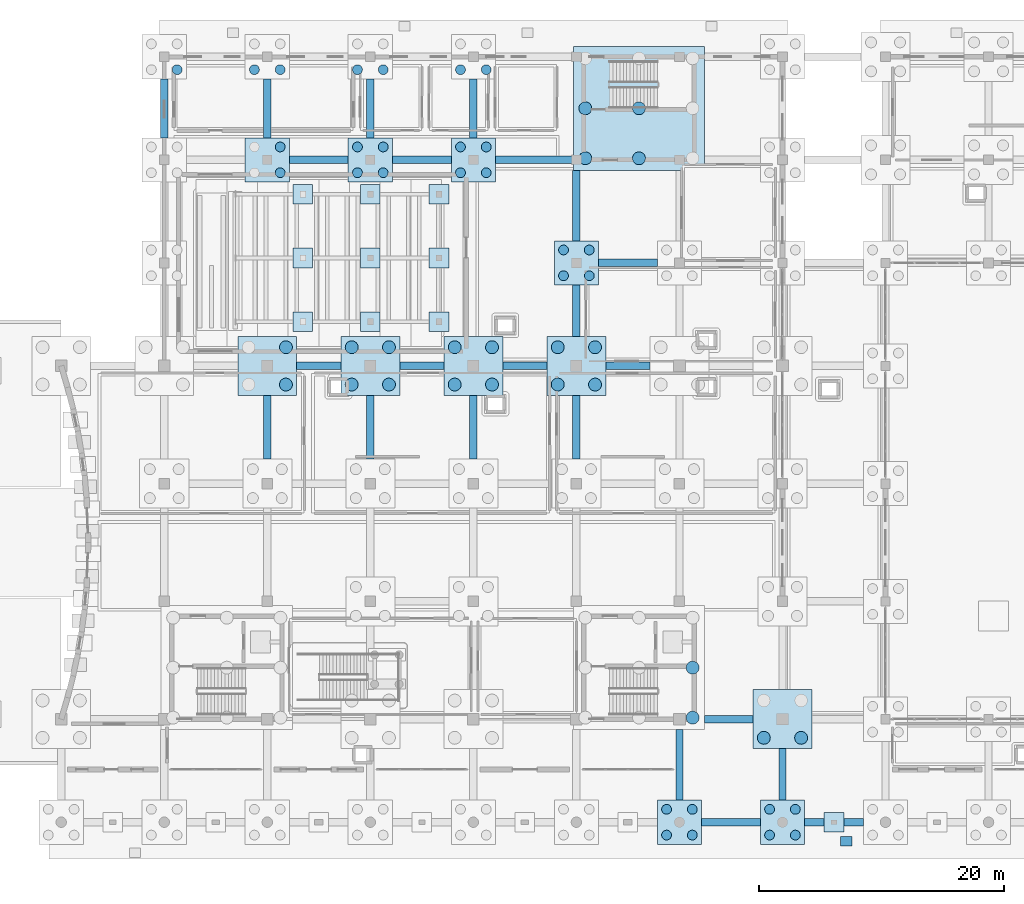
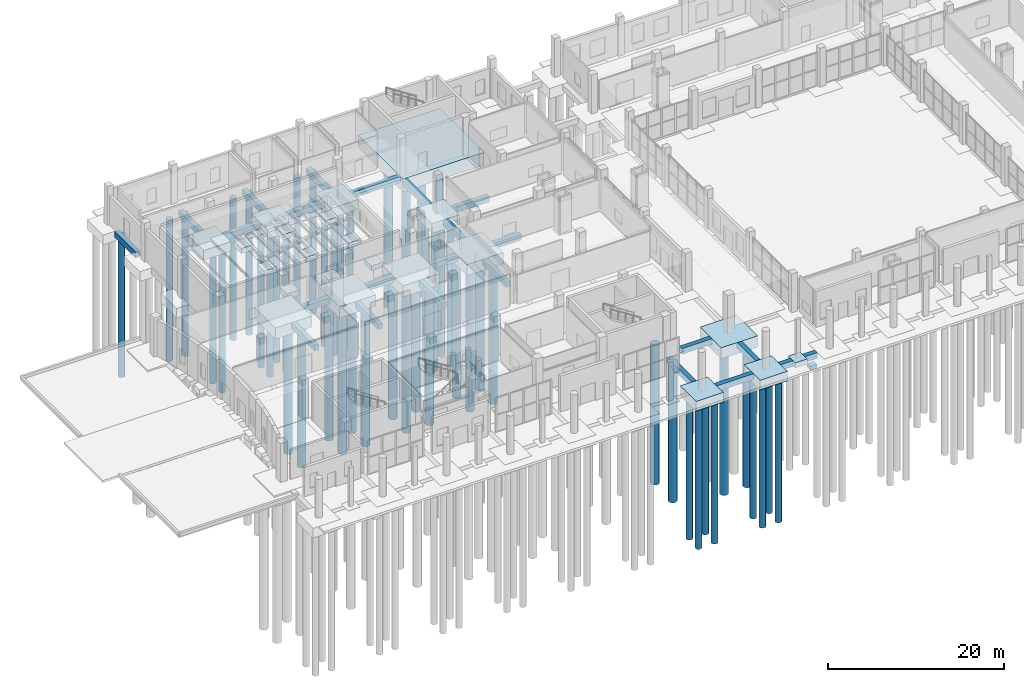
# One storey, part 3 of 65: 51 piles, 46 footings.
"""IFC4 building model written with IfcOpenShell, lengths in metres."""

from ifc_helpers import new_model, si_unit, direction, frame, origin, origin_2d, place, context, subcontext, project, spatial, polyline, circle, outline, extrude, material, layer, layer_set, material_profile, profile_set, type_object, element, save


model = new_model("IFC4")

# Units and contexts
model_context = context("Model", 3, precision=1e-05, world=origin(), true_north=direction((0.0, 1.0)))
body_context = subcontext(model_context, "Body", "Model", "MODEL_VIEW")
ifc_project = project(units=[si_unit("LENGTHUNIT", "METRE"), si_unit("AREAUNIT", "SQUARE_METRE"), si_unit("VOLUMEUNIT", "CUBIC_METRE"), si_unit("PLANEANGLEUNIT", "RADIAN"), si_unit("MASSUNIT", "GRAM", prefix="KILO")], contexts=[model_context])

# Site, building, storey
site_placement = place(None, origin())
site = spatial("IfcSite", under=ifc_project, at=site_placement, CompositionType="ELEMENT")
building_placement = place(site_placement, origin())
building = spatial("IfcBuilding", under=site, at=building_placement, Name="Zulmaris Art Gallery", CompositionType="ELEMENT")
storey_placement = place(building_placement, origin())
storey = spatial("IfcBuildingStorey", under=building, at=storey_placement, Name="L00", CompositionType="ELEMENT", Elevation=0.0)

# Footings
ifc_material = material(Name="Concrete C40/50", Category="concrete")
ifc_layer_1 = layer(ifc_material, 0.800048828125)
ifc_layer_set_1 = layer_set([ifc_layer_1], Name="Concrete C40/50")
footing_type_1 = type_object("IfcFootingType", Name="FTG-GB01", PredefinedType="FOOTING_BEAM", material=ifc_layer_set_1)
footing_1_placement = place(storey_placement, frame((0.0, 0.0, -0.800048828125)))
element("IfcFooting", 1, at=footing_1_placement, inside=storey, type_object=footing_type_1, Name="L00 ground tie beam X", PredefinedType="FOOTING_BEAM", context=body_context, shape_type="SweptSolid", body=[
    extrude(outline(polyline([(76.199951171875, 12.89990234375), (81.0, 12.89990234375), (81.0, 13.5), (76.199951171875, 13.5), (76.199951171875, 12.89990234375)])), origin(), (0.0, 0.0, 1.0), 0.800048828125),
])
footing_2_placement = place(storey_placement, frame((0.0, 0.0, -0.800048828125)))
element("IfcFooting", 2, at=footing_2_placement, inside=storey, type_object=footing_type_1, Name="L00 ground tie beam X", PredefinedType="FOOTING_BEAM", context=body_context, shape_type="SweptSolid", body=[
    extrude(outline(polyline([(84.60009765625, 12.89990234375), (89.39990234375, 12.89990234375), (89.39990234375, 13.5), (84.60009765625, 13.5), (84.60009765625, 12.89990234375)])), origin(), (0.0, 0.0, 1.0), 0.800048828125),
])
footing_3_placement = place(storey_placement, frame((0.0, 0.0, -0.800048828125)))
element("IfcFooting", 3, at=footing_3_placement, inside=storey, type_object=footing_type_1, Name="L00 ground tie beam X", PredefinedType="FOOTING_BEAM", context=body_context, shape_type="SweptSolid", body=[
    extrude(outline(polyline([(76.449951171875, 21.300048828125), (80.39990234375, 21.300048828125), (80.39990234375, 21.89990234375), (76.449951171875, 21.89990234375), (76.449951171875, 21.300048828125)])), origin(), (0.0, 0.0, 1.0), 0.800048828125),
])
footing_4_placement = place(storey_placement, frame((0.0, 0.0, -0.800048828125)))
element("IfcFooting", 4, at=footing_4_placement, inside=storey, type_object=footing_type_1, Name="L00 ground tie beam X", PredefinedType="FOOTING_BEAM", context=body_context, shape_type="SweptSolid", body=[
    extrude(outline(polyline([(43.199951171875, 50.10009765625), (46.800048828125, 50.10009765625), (46.800048828125, 50.699951171875), (43.199951171875, 50.699951171875), (43.199951171875, 50.10009765625)])), origin(), (0.0, 0.0, 1.0), 0.800048828125),
])
footing_5_placement = place(storey_placement, frame((0.0, 0.0, -0.800048828125)))
element("IfcFooting", 5, at=footing_5_placement, inside=storey, type_object=footing_type_1, Name="L00 ground tie beam X", PredefinedType="FOOTING_BEAM", context=body_context, shape_type="SweptSolid", body=[
    extrude(outline(polyline([(51.60009765625, 50.10009765625), (55.199951171875, 50.10009765625), (55.199951171875, 50.699951171875), (51.60009765625, 50.699951171875), (51.60009765625, 50.10009765625)])), origin(), (0.0, 0.0, 1.0), 0.800048828125),
])
footing_6_placement = place(storey_placement, frame((0.0, 0.0, -0.800048828125)))
element("IfcFooting", 6, at=footing_6_placement, inside=storey, type_object=footing_type_1, Name="L00 ground tie beam X", PredefinedType="FOOTING_BEAM", context=body_context, shape_type="SweptSolid", body=[
    extrude(outline(polyline([(60.0, 50.10009765625), (63.60009765625, 50.10009765625), (63.60009765625, 50.699951171875), (60.0, 50.699951171875), (60.0, 50.10009765625)])), origin(), (0.0, 0.0, 1.0), 0.800048828125),
])
footing_7_placement = place(storey_placement, frame((0.0, 0.0, -0.800048828125)))
element("IfcFooting", 7, at=footing_7_placement, inside=storey, type_object=footing_type_1, Name="L00 ground tie beam X", PredefinedType="FOOTING_BEAM", context=body_context, shape_type="SweptSolid", body=[
    extrude(outline(polyline([(68.39990234375, 50.10009765625), (72.0, 50.10009765625), (72.0, 50.699951171875), (68.39990234375, 50.699951171875), (68.39990234375, 50.10009765625)])), origin(), (0.0, 0.0, 1.0), 0.800048828125),
])
footing_8_placement = place(storey_placement, frame((0.0, 0.0, -0.800048828125)))
element("IfcFooting", 8, at=footing_8_placement, inside=storey, type_object=footing_type_1, Name="L00 ground tie beam X", PredefinedType="FOOTING_BEAM", context=body_context, shape_type="SweptSolid", body=[
    extrude(outline(polyline([(67.800048828125, 58.5), (72.60009765625, 58.5), (72.60009765625, 59.10009765625), (67.800048828125, 59.10009765625), (67.800048828125, 58.5)])), origin(), (0.0, 0.0, 1.0), 0.800048828125),
])
footing_9_placement = place(storey_placement, frame((0.0, 0.0, -0.800048828125)))
element("IfcFooting", 9, at=footing_9_placement, inside=storey, type_object=footing_type_1, Name="L00 ground tie beam X", PredefinedType="FOOTING_BEAM", context=body_context, shape_type="SweptSolid", body=[
    extrude(outline(polyline([(42.60009765625, 66.89990234375), (47.39990234375, 66.89990234375), (47.39990234375, 67.5), (42.60009765625, 67.5), (42.60009765625, 66.89990234375)])), origin(), (0.0, 0.0, 1.0), 0.800048828125),
])
footing_10_placement = place(storey_placement, frame((0.0, 0.0, -0.800048828125)))
element("IfcFooting", 10, at=footing_10_placement, inside=storey, type_object=footing_type_1, Name="L00 ground tie beam X", PredefinedType="FOOTING_BEAM", context=body_context, shape_type="SweptSolid", body=[
    extrude(outline(polyline([(51.0, 66.89990234375), (55.800048828125, 66.89990234375), (55.800048828125, 67.5), (51.0, 67.5), (51.0, 66.89990234375)])), origin(), (0.0, 0.0, 1.0), 0.800048828125),
])
footing_11_placement = place(storey_placement, frame((0.0, 0.0, -0.800048828125)))
element("IfcFooting", 11, at=footing_11_placement, inside=storey, type_object=footing_type_1, Name="L00 ground tie beam X", PredefinedType="FOOTING_BEAM", context=body_context, shape_type="SweptSolid", body=[
    extrude(outline(polyline([(59.39990234375, 66.89990234375), (65.75, 66.89990234375), (65.75, 67.5), (59.39990234375, 67.5), (59.39990234375, 66.89990234375)])), origin(), (0.0, 0.0, 1.0), 0.800048828125),
])
footing_12_placement = place(storey_placement, frame((0.0, 0.0, -0.800048828125)))
element("IfcFooting", 12, at=footing_12_placement, inside=storey, type_object=footing_type_1, Name="L00 ground tie beam Y", PredefinedType="FOOTING_BEAM", context=body_context, shape_type="SweptSolid", body=[
    extrude(outline(polyline([(32.10009765625, 69.0), (32.699951171875, 69.0), (32.699951171875, 73.800048828125), (32.10009765625, 73.800048828125), (32.10009765625, 69.0)])), origin(), (0.0, 0.0, 1.0), 0.800048828125),
])
footing_13_placement = place(storey_placement, frame((0.0, 0.0, -0.800048828125)))
element("IfcFooting", 13, at=footing_13_placement, inside=storey, type_object=footing_type_1, Name="L00 ground tie beam Y", PredefinedType="FOOTING_BEAM", context=body_context, shape_type="SweptSolid", body=[
    extrude(outline(polyline([(40.5, 42.800048828125), (41.10009765625, 42.800048828125), (41.10009765625, 48.0), (40.5, 48.0), (40.5, 42.800048828125)])), origin(), (0.0, 0.0, 1.0), 0.800048828125),
])
footing_14_placement = place(storey_placement, frame((0.0, 0.0, -0.800048828125)))
element("IfcFooting", 14, at=footing_14_placement, inside=storey, type_object=footing_type_1, Name="L00 ground tie beam Y", PredefinedType="FOOTING_BEAM", context=body_context, shape_type="SweptSolid", body=[
    extrude(outline(polyline([(40.5, 69.0), (41.10009765625, 69.0), (41.10009765625, 73.800048828125), (40.5, 73.800048828125), (40.5, 69.0)])), origin(), (0.0, 0.0, 1.0), 0.800048828125),
])
footing_15_placement = place(storey_placement, frame((0.0, 0.0, -0.800048828125)))
element("IfcFooting", 15, at=footing_15_placement, inside=storey, type_object=footing_type_1, Name="L00 ground tie beam Y", PredefinedType="FOOTING_BEAM", context=body_context, shape_type="SweptSolid", body=[
    extrude(outline(polyline([(48.89990234375, 42.800048828125), (49.5, 42.800048828125), (49.5, 48.0), (48.89990234375, 48.0), (48.89990234375, 42.800048828125)])), origin(), (0.0, 0.0, 1.0), 0.800048828125),
])
footing_16_placement = place(storey_placement, frame((0.0, 0.0, -0.800048828125)))
element("IfcFooting", 16, at=footing_16_placement, inside=storey, type_object=footing_type_1, Name="L00 ground tie beam Y", PredefinedType="FOOTING_BEAM", context=body_context, shape_type="SweptSolid", body=[
    extrude(outline(polyline([(48.89990234375, 69.0), (49.5, 69.0), (49.5, 73.800048828125), (48.89990234375, 73.800048828125), (48.89990234375, 69.0)])), origin(), (0.0, 0.0, 1.0), 0.800048828125),
])
footing_17_placement = place(storey_placement, frame((0.0, 0.0, -0.800048828125)))
element("IfcFooting", 17, at=footing_17_placement, inside=storey, type_object=footing_type_1, Name="L00 ground tie beam Y", PredefinedType="FOOTING_BEAM", context=body_context, shape_type="SweptSolid", body=[
    extrude(outline(polyline([(57.300048828125, 42.800048828125), (57.89990234375, 42.800048828125), (57.89990234375, 48.0), (57.300048828125, 48.0), (57.300048828125, 42.800048828125)])), origin(), (0.0, 0.0, 1.0), 0.800048828125),
])
footing_18_placement = place(storey_placement, frame((0.0, 0.0, -0.800048828125)))
element("IfcFooting", 18, at=footing_18_placement, inside=storey, type_object=footing_type_1, Name="L00 ground tie beam Y", PredefinedType="FOOTING_BEAM", context=body_context, shape_type="SweptSolid", body=[
    extrude(outline(polyline([(57.300048828125, 69.0), (57.89990234375, 69.0), (57.89990234375, 73.800048828125), (57.300048828125, 73.800048828125), (57.300048828125, 69.0)])), origin(), (0.0, 0.0, 1.0), 0.800048828125),
])
footing_19_placement = place(storey_placement, frame((0.0, 0.0, -0.800048828125)))
element("IfcFooting", 19, at=footing_19_placement, inside=storey, type_object=footing_type_1, Name="L00 ground tie beam Y", PredefinedType="FOOTING_BEAM", context=body_context, shape_type="SweptSolid", body=[
    extrude(outline(polyline([(65.699951171875, 42.800048828125), (66.300048828125, 42.800048828125), (66.300048828125, 48.0), (65.699951171875, 48.0), (65.699951171875, 42.800048828125)])), origin(), (0.0, 0.0, 1.0), 0.800048828125),
])
footing_20_placement = place(storey_placement, frame((0.0, 0.0, -0.800048828125)))
element("IfcFooting", 20, at=footing_20_placement, inside=storey, type_object=footing_type_1, Name="L00 ground tie beam Y", PredefinedType="FOOTING_BEAM", context=body_context, shape_type="SweptSolid", body=[
    extrude(outline(polyline([(65.699951171875, 52.800048828125), (66.300048828125, 52.800048828125), (66.300048828125, 57.0), (65.699951171875, 57.0), (65.699951171875, 52.800048828125)])), origin(), (0.0, 0.0, 1.0), 0.800048828125),
])
footing_21_placement = place(storey_placement, frame((0.0, 0.0, -0.800048828125)))
element("IfcFooting", 21, at=footing_21_placement, inside=storey, type_object=footing_type_1, Name="L00 ground tie beam Y", PredefinedType="FOOTING_BEAM", context=body_context, shape_type="SweptSolid", body=[
    extrude(outline(polyline([(65.699951171875, 60.60009765625), (66.300048828125, 60.60009765625), (66.300048828125, 66.35009765625), (65.699951171875, 66.35009765625), (65.699951171875, 60.60009765625)])), origin(), (0.0, 0.0, 1.0), 0.800048828125),
])
footing_22_placement = place(storey_placement, frame((0.0, 0.0, -0.800048828125)))
element("IfcFooting", 22, at=footing_22_placement, inside=storey, type_object=footing_type_1, Name="L00 ground tie beam Y", PredefinedType="FOOTING_BEAM", context=body_context, shape_type="SweptSolid", body=[
    extrude(outline(polyline([(74.10009765625, 15.0), (74.699951171875, 15.0), (74.699951171875, 20.75), (74.10009765625, 20.75), (74.10009765625, 15.0)])), origin(), (0.0, 0.0, 1.0), 0.800048828125),
])
footing_23_placement = place(storey_placement, frame((0.0, 0.0, -0.800048828125)))
element("IfcFooting", 23, at=footing_23_placement, inside=storey, type_object=footing_type_1, Name="L00 ground tie beam Y", PredefinedType="FOOTING_BEAM", context=body_context, shape_type="SweptSolid", body=[
    extrude(outline(polyline([(82.5, 15.0), (83.10009765625, 15.0), (83.10009765625, 19.199951171875), (82.5, 19.199951171875), (82.5, 15.0)])), origin(), (0.0, 0.0, 1.0), 0.800048828125),
])
ifc_layer_2 = layer(ifc_material, 1.7900390625)
ifc_layer_set_2 = layer_set([ifc_layer_2], Name="Concrete C40/50")
footing_type_2 = type_object("IfcFootingType", Name="FTG-MAT-C6", PredefinedType="PILE_CAP", material=ifc_layer_set_2)
footing_24_placement = place(storey_placement, frame((0.0, 0.0, -1.7900390625)))
element("IfcFooting", 24, at=footing_24_placement, inside=storey, type_object=footing_type_2, Name="Core C6 pile cap", PredefinedType="PILE_CAP", context=body_context, shape_type="SweptSolid", body=[
    extrude(outline(polyline([(65.75, 66.35009765625), (76.449951171875, 66.35009765625), (76.449951171875, 76.449951171875), (65.75, 76.449951171875), (65.75, 66.35009765625)])), origin(), (0.0, 0.0, 1.0), 1.7900390625),
])
ifc_layer_3 = layer(ifc_material, 0.699951171875)
ifc_layer_set_3 = layer_set([ifc_layer_3], Name="Concrete C40/50")
footing_type_3 = type_object("IfcFootingType", Name="FTG-PAD01", PredefinedType="PAD_FOOTING", material=ifc_layer_set_3)
footing_25_placement = place(storey_placement, frame((0.0, 0.0, -0.699951171875)))
element("IfcFooting", 25, at=footing_25_placement, inside=storey, type_object=footing_type_3, Name="Colonnade pilaster footing 7", PredefinedType="PAD_FOOTING", context=body_context, shape_type="SweptSolid", body=[
    extrude(outline(polyline([(86.199951171875, 12.39990234375), (87.800048828125, 12.39990234375), (87.800048828125, 14.0), (86.199951171875, 14.0), (86.199951171875, 12.39990234375)])), origin(), (0.0, 0.0, 1.0), 0.699951171875),
])
footing_26_placement = place(storey_placement, frame((0.0, 0.0, -0.699951171875)))
element("IfcFooting", 26, at=footing_26_placement, inside=storey, type_object=footing_type_3, Name="Auditorium raker footing 1-1", PredefinedType="PAD_FOOTING", context=body_context, shape_type="SweptSolid", body=[
    extrude(outline(polyline([(42.89990234375, 53.199951171875), (44.5, 53.199951171875), (44.5, 54.800048828125), (42.89990234375, 54.800048828125), (42.89990234375, 53.199951171875)])), origin(), (0.0, 0.0, 1.0), 0.699951171875),
])
footing_27_placement = place(storey_placement, frame((0.0, 0.0, -0.699951171875)))
element("IfcFooting", 27, at=footing_27_placement, inside=storey, type_object=footing_type_3, Name="Auditorium raker footing 1-2", PredefinedType="PAD_FOOTING", context=body_context, shape_type="SweptSolid", body=[
    extrude(outline(polyline([(48.39990234375, 53.199951171875), (50.0, 53.199951171875), (50.0, 54.800048828125), (48.39990234375, 54.800048828125), (48.39990234375, 53.199951171875)])), origin(), (0.0, 0.0, 1.0), 0.699951171875),
])
footing_28_placement = place(storey_placement, frame((0.0, 0.0, -0.699951171875)))
element("IfcFooting", 28, at=footing_28_placement, inside=storey, type_object=footing_type_3, Name="Auditorium raker footing 1-3", PredefinedType="PAD_FOOTING", context=body_context, shape_type="SweptSolid", body=[
    extrude(outline(polyline([(54.0, 53.199951171875), (55.60009765625, 53.199951171875), (55.60009765625, 54.800048828125), (54.0, 54.800048828125), (54.0, 53.199951171875)])), origin(), (0.0, 0.0, 1.0), 0.699951171875),
])
footing_29_placement = place(storey_placement, frame((0.0, 0.0, -0.699951171875)))
element("IfcFooting", 29, at=footing_29_placement, inside=storey, type_object=footing_type_3, Name="Auditorium raker footing 2-1", PredefinedType="PAD_FOOTING", context=body_context, shape_type="SweptSolid", body=[
    extrude(outline(polyline([(42.89990234375, 58.39990234375), (44.5, 58.39990234375), (44.5, 60.0), (42.89990234375, 60.0), (42.89990234375, 58.39990234375)])), origin(), (0.0, 0.0, 1.0), 0.699951171875),
])
footing_30_placement = place(storey_placement, frame((0.0, 0.0, -0.699951171875)))
element("IfcFooting", 30, at=footing_30_placement, inside=storey, type_object=footing_type_3, Name="Auditorium raker footing 2-2", PredefinedType="PAD_FOOTING", context=body_context, shape_type="SweptSolid", body=[
    extrude(outline(polyline([(48.39990234375, 58.39990234375), (50.0, 58.39990234375), (50.0, 60.0), (48.39990234375, 60.0), (48.39990234375, 58.39990234375)])), origin(), (0.0, 0.0, 1.0), 0.699951171875),
])
footing_31_placement = place(storey_placement, frame((0.0, 0.0, -0.699951171875)))
element("IfcFooting", 31, at=footing_31_placement, inside=storey, type_object=footing_type_3, Name="Auditorium raker footing 2-3", PredefinedType="PAD_FOOTING", context=body_context, shape_type="SweptSolid", body=[
    extrude(outline(polyline([(54.0, 58.39990234375), (55.60009765625, 58.39990234375), (55.60009765625, 60.0), (54.0, 60.0), (54.0, 58.39990234375)])), origin(), (0.0, 0.0, 1.0), 0.699951171875),
])
footing_32_placement = place(storey_placement, frame((0.0, 0.0, -0.699951171875)))
element("IfcFooting", 32, at=footing_32_placement, inside=storey, type_object=footing_type_3, Name="Auditorium raker footing 3-1", PredefinedType="PAD_FOOTING", context=body_context, shape_type="SweptSolid", body=[
    extrude(outline(polyline([(42.89990234375, 63.60009765625), (44.5, 63.60009765625), (44.5, 65.199951171875), (42.89990234375, 65.199951171875), (42.89990234375, 63.60009765625)])), origin(), (0.0, 0.0, 1.0), 0.699951171875),
])
footing_33_placement = place(storey_placement, frame((0.0, 0.0, -0.699951171875)))
element("IfcFooting", 33, at=footing_33_placement, inside=storey, type_object=footing_type_3, Name="Auditorium raker footing 3-2", PredefinedType="PAD_FOOTING", context=body_context, shape_type="SweptSolid", body=[
    extrude(outline(polyline([(48.39990234375, 63.60009765625), (50.0, 63.60009765625), (50.0, 65.199951171875), (48.39990234375, 65.199951171875), (48.39990234375, 63.60009765625)])), origin(), (0.0, 0.0, 1.0), 0.699951171875),
])
footing_34_placement = place(storey_placement, frame((0.0, 0.0, -0.699951171875)))
element("IfcFooting", 34, at=footing_34_placement, inside=storey, type_object=footing_type_3, Name="Auditorium raker footing 3-3", PredefinedType="PAD_FOOTING", context=body_context, shape_type="SweptSolid", body=[
    extrude(outline(polyline([(54.0, 63.60009765625), (55.60009765625, 63.60009765625), (55.60009765625, 65.199951171875), (54.0, 65.199951171875), (54.0, 63.60009765625)])), origin(), (0.0, 0.0, 1.0), 0.699951171875),
])
footing_35_placement = place(storey_placement, frame((0.0, 0.0, -0.800048828125)))
element("IfcFooting", 35, at=footing_35_placement, inside=storey, type_object=footing_type_3, Name="Exterior apron APR-SOUTH grade pad 2", PredefinedType="PAD_FOOTING", context=body_context, shape_type="SweptSolid", body=[
    extrude(outline(polyline([(87.550048828125, 11.27001953125), (88.449951171875, 11.27001953125), (88.449951171875, 12.030029296875), (87.550048828125, 12.030029296875), (87.550048828125, 11.27001953125)])), origin(), (0.0, 0.0, 1.0), 0.5),
])
ifc_layer_4 = layer(ifc_material, 1.35009765625)
ifc_layer_set_4 = layer_set([ifc_layer_4], Name="Concrete C40/50")
footing_type_4 = type_object("IfcFootingType", Name="FTG-PC01", PredefinedType="PILE_CAP", material=ifc_layer_set_4)
footing_36_placement = place(storey_placement, frame((0.0, 0.0, -1.35009765625)))
element("IfcFooting", 36, at=footing_36_placement, inside=storey, type_object=footing_type_4, Name="L00 pile cap PC01 at (40.8, 67.2)", PredefinedType="PILE_CAP", context=body_context, shape_type="SweptSolid", body=[
    extrude(outline(polyline([(39.0, 65.39990234375), (42.60009765625, 65.39990234375), (42.60009765625, 69.0), (39.0, 69.0), (39.0, 65.39990234375)])), origin(), (0.0, 0.0, 1.0), 1.35009765625),
])
footing_37_placement = place(storey_placement, frame((0.0, 0.0, -1.35009765625)))
element("IfcFooting", 37, at=footing_37_placement, inside=storey, type_object=footing_type_4, Name="L00 pile cap PC01 at (49.2, 67.2)", PredefinedType="PILE_CAP", context=body_context, shape_type="SweptSolid", body=[
    extrude(outline(polyline([(47.39990234375, 65.39990234375), (51.0, 65.39990234375), (51.0, 69.0), (47.39990234375, 69.0), (47.39990234375, 65.39990234375)])), origin(), (0.0, 0.0, 1.0), 1.35009765625),
])
footing_38_placement = place(storey_placement, frame((0.0, 0.0, -1.35009765625)))
element("IfcFooting", 38, at=footing_38_placement, inside=storey, type_object=footing_type_4, Name="L00 pile cap PC01 at (57.6, 67.2)", PredefinedType="PILE_CAP", context=body_context, shape_type="SweptSolid", body=[
    extrude(outline(polyline([(55.800048828125, 65.39990234375), (59.39990234375, 65.39990234375), (59.39990234375, 69.0), (55.800048828125, 69.0), (55.800048828125, 65.39990234375)])), origin(), (0.0, 0.0, 1.0), 1.35009765625),
])
footing_39_placement = place(storey_placement, frame((0.0, 0.0, -1.35009765625)))
element("IfcFooting", 39, at=footing_39_placement, inside=storey, type_object=footing_type_4, Name="L00 pile cap PC01 at (66.0, 58.8)", PredefinedType="PILE_CAP", context=body_context, shape_type="SweptSolid", body=[
    extrude(outline(polyline([(64.199951171875, 57.0), (67.800048828125, 57.0), (67.800048828125, 60.60009765625), (64.199951171875, 60.60009765625), (64.199951171875, 57.0)])), origin(), (0.0, 0.0, 1.0), 1.35009765625),
])
footing_40_placement = place(storey_placement, frame((0.0, 0.0, -1.35009765625)))
element("IfcFooting", 40, at=footing_40_placement, inside=storey, type_object=footing_type_4, Name="L00 pile cap PC01 at (74.4, 13.2)", PredefinedType="PILE_CAP", context=body_context, shape_type="SweptSolid", body=[
    extrude(outline(polyline([(72.60009765625, 11.39990234375), (76.199951171875, 11.39990234375), (76.199951171875, 15.0), (72.60009765625, 15.0), (72.60009765625, 11.39990234375)])), origin(), (0.0, 0.0, 1.0), 1.35009765625),
])
footing_41_placement = place(storey_placement, frame((0.0, 0.0, -1.35009765625)))
element("IfcFooting", 41, at=footing_41_placement, inside=storey, type_object=footing_type_4, Name="L00 pile cap PC01 at (82.8, 13.2)", PredefinedType="PILE_CAP", context=body_context, shape_type="SweptSolid", body=[
    extrude(outline(polyline([(81.0, 11.39990234375), (84.60009765625, 11.39990234375), (84.60009765625, 15.0), (81.0, 15.0), (81.0, 11.39990234375)])), origin(), (0.0, 0.0, 1.0), 1.35009765625),
])
ifc_layer_5 = layer(ifc_material, 1.550048828125)
ifc_layer_set_5 = layer_set([ifc_layer_5], Name="Concrete C40/50")
footing_type_5 = type_object("IfcFootingType", Name="FTG-PC03", PredefinedType="PILE_CAP", material=ifc_layer_set_5)
footing_42_placement = place(storey_placement, frame((0.0, 0.0, -1.550048828125)))
element("IfcFooting", 42, at=footing_42_placement, inside=storey, type_object=footing_type_5, Name="L00 pile cap PC03 at (40.8, 50.4)", PredefinedType="PILE_CAP", context=body_context, shape_type="SweptSolid", body=[
    extrude(outline(polyline([(38.39990234375, 48.0), (43.199951171875, 48.0), (43.199951171875, 52.800048828125), (38.39990234375, 52.800048828125), (38.39990234375, 48.0)])), origin(), (0.0, 0.0, 1.0), 1.550048828125),
])
footing_43_placement = place(storey_placement, frame((0.0, 0.0, -1.550048828125)))
element("IfcFooting", 43, at=footing_43_placement, inside=storey, type_object=footing_type_5, Name="L00 pile cap PC03 at (49.2, 50.4)", PredefinedType="PILE_CAP", context=body_context, shape_type="SweptSolid", body=[
    extrude(outline(polyline([(46.800048828125, 48.0), (51.60009765625, 48.0), (51.60009765625, 52.800048828125), (46.800048828125, 52.800048828125), (46.800048828125, 48.0)])), origin(), (0.0, 0.0, 1.0), 1.550048828125),
])
footing_44_placement = place(storey_placement, frame((0.0, 0.0, -1.550048828125)))
element("IfcFooting", 44, at=footing_44_placement, inside=storey, type_object=footing_type_5, Name="L00 pile cap PC03 at (57.6, 50.4)", PredefinedType="PILE_CAP", context=body_context, shape_type="SweptSolid", body=[
    extrude(outline(polyline([(55.199951171875, 48.0), (60.0, 48.0), (60.0, 52.800048828125), (55.199951171875, 52.800048828125), (55.199951171875, 48.0)])), origin(), (0.0, 0.0, 1.0), 1.550048828125),
])
footing_45_placement = place(storey_placement, frame((0.0, 0.0, -1.550048828125)))
element("IfcFooting", 45, at=footing_45_placement, inside=storey, type_object=footing_type_5, Name="L00 pile cap PC03 at (66.0, 50.4)", PredefinedType="PILE_CAP", context=body_context, shape_type="SweptSolid", body=[
    extrude(outline(polyline([(63.60009765625, 48.0), (68.39990234375, 48.0), (68.39990234375, 52.800048828125), (63.60009765625, 52.800048828125), (63.60009765625, 48.0)])), origin(), (0.0, 0.0, 1.0), 1.550048828125),
])
footing_46_placement = place(storey_placement, frame((0.0, 0.0, -1.550048828125)))
element("IfcFooting", 46, at=footing_46_placement, inside=storey, type_object=footing_type_5, Name="L00 pile cap PC03 at (82.8, 21.6)", PredefinedType="PILE_CAP", context=body_context, shape_type="SweptSolid", body=[
    extrude(outline(polyline([(80.39990234375, 19.199951171875), (85.199951171875, 19.199951171875), (85.199951171875, 24.0), (80.39990234375, 24.0), (80.39990234375, 19.199951171875)])), origin(), (0.0, 0.0, 1.0), 1.550048828125),
])

# Piles
ifc_material_profile_1 = material_profile(ifc_material, circle(Radius=0.52490234375, at=origin_2d()), Name="PILE DIA 1050")
ifc_profile_set_1 = profile_set([ifc_material_profile_1], Name="Concrete C40/50")
pile_type_1 = type_object("IfcPileType", Name="PILE-1050", PredefinedType="BORED", material=ifc_profile_set_1)
for number, where, z_axis, x_axis, name in (
    (47, (75.47509765625, 21.72509765625, -1.530029296875), (0.0, 0.0, -1.0), (1.0, 0.0, 0.0), "Core C2 bored pile 7"),
    (48, (75.47509765625, 25.800048828125, -1.530029296875), (0.0, 0.0, -1.0), (1.0, 0.0, 0.0), "Core C2 bored pile 8"),
):
    element("IfcPile", number, at=place(storey_placement, frame(where, z_axis=z_axis, x_axis=x_axis)), inside=storey, type_object=pile_type_1, Name=name, PredefinedType="BORED", context=body_context, shape_type="SweptSolid", body=[
        extrude(circle(Radius=0.52490234375, at=origin_2d()), origin(), (0.0, 0.0, 1.0), 19.469970703125),
    ])
for number, where, z_axis, x_axis, name in (
    (49, (66.72509765625, 67.324951171875, -1.68994140625), (0.0, 0.0, -1.0), (1.0, 0.0, 0.0), "Core C6 bored pile 1"),
    (50, (66.72509765625, 71.39990234375, -1.68994140625), (0.0, 0.0, -1.0), (1.0, 0.0, 0.0), "Core C6 bored pile 2"),
    (51, (71.10009765625, 67.324951171875, -1.68994140625), (0.0, 0.0, -1.0), (1.0, 0.0, 0.0), "Core C6 bored pile 4"),
    (52, (71.10009765625, 71.39990234375, -1.68994140625), (0.0, 0.0, -1.0), (1.0, 0.0, 0.0), "Core C6 bored pile 5"),
):
    element("IfcPile", number, at=place(storey_placement, frame(where, z_axis=z_axis, x_axis=x_axis)), inside=storey, type_object=pile_type_1, Name=name, PredefinedType="BORED", context=body_context, shape_type="SweptSolid", body=[
        extrude(circle(Radius=0.52490234375, at=origin_2d()), origin(), (0.0, 0.0, 1.0), 19.31005859375),
    ])
for number, where, z_axis, x_axis, name in (
    (53, (42.320068359375, 48.8798828125, -1.449951171875), (0.0, 0.0, -1.0), (1.0, 0.0, 0.0), "L00 bored pile 2 under FTG-CAP-L00-0408-504"),
    (54, (42.320068359375, 51.919921875, -1.449951171875), (0.0, 0.0, -1.0), (1.0, 0.0, 0.0), "L00 bored pile 4 under FTG-CAP-L00-0408-504"),
    (55, (47.679931640625, 48.8798828125, -1.449951171875), (0.0, 0.0, -1.0), (1.0, 0.0, 0.0), "L00 bored pile 1 under FTG-CAP-L00-0492-504"),
    (56, (50.719970703125, 48.8798828125, -1.449951171875), (0.0, 0.0, -1.0), (1.0, 0.0, 0.0), "L00 bored pile 2 under FTG-CAP-L00-0492-504"),
    (57, (47.679931640625, 51.919921875, -1.449951171875), (0.0, 0.0, -1.0), (1.0, 0.0, 0.0), "L00 bored pile 3 under FTG-CAP-L00-0492-504"),
    (58, (50.719970703125, 51.919921875, -1.449951171875), (0.0, 0.0, -1.0), (1.0, 0.0, 0.0), "L00 bored pile 4 under FTG-CAP-L00-0492-504"),
    (59, (56.080078125, 48.8798828125, -1.449951171875), (0.0, 0.0, -1.0), (1.0, 0.0, 0.0), "L00 bored pile 1 under FTG-CAP-L00-0576-504"),
    (60, (59.1201171875, 48.8798828125, -1.449951171875), (0.0, 0.0, -1.0), (1.0, 0.0, 0.0), "L00 bored pile 2 under FTG-CAP-L00-0576-504"),
    (61, (56.080078125, 51.919921875, -1.449951171875), (0.0, 0.0, -1.0), (1.0, 0.0, 0.0), "L00 bored pile 3 under FTG-CAP-L00-0576-504"),
    (62, (59.1201171875, 51.919921875, -1.449951171875), (0.0, 0.0, -1.0), (1.0, 0.0, 0.0), "L00 bored pile 4 under FTG-CAP-L00-0576-504"),
    (63, (64.47998046875, 48.8798828125, -1.449951171875), (0.0, 0.0, -1.0), (1.0, 0.0, 0.0), "L00 bored pile 1 under FTG-CAP-L00-0660-504"),
    (64, (67.52001953125, 48.8798828125, -1.449951171875), (0.0, 0.0, -1.0), (1.0, 0.0, 0.0), "L00 bored pile 2 under FTG-CAP-L00-0660-504"),
    (65, (64.47998046875, 51.919921875, -1.449951171875), (0.0, 0.0, -1.0), (1.0, 0.0, 0.0), "L00 bored pile 3 under FTG-CAP-L00-0660-504"),
    (66, (67.52001953125, 51.919921875, -1.449951171875), (0.0, 0.0, -1.0), (1.0, 0.0, 0.0), "L00 bored pile 4 under FTG-CAP-L00-0660-504"),
    (67, (81.280029296875, 20.080078125, -1.449951171875), (0.0, 0.0, -1.0), (1.0, 0.0, 0.0), "L00 bored pile 1 under FTG-CAP-L00-0828-216"),
    (68, (84.320068359375, 20.080078125, -1.449951171875), (0.0, 0.0, -1.0), (1.0, 0.0, 0.0), "L00 bored pile 2 under FTG-CAP-L00-0828-216"),
):
    element("IfcPile", number, at=place(storey_placement, frame(where, z_axis=z_axis, x_axis=x_axis)), inside=storey, type_object=pile_type_1, Name=name, PredefinedType="BORED", context=body_context, shape_type="SweptSolid", body=[
        extrude(circle(Radius=0.52490234375, at=origin_2d()), origin(), (0.0, 0.0, 1.0), 19.550048828125),
    ])
ifc_material_profile_2 = material_profile(ifc_material, circle(Radius=0.39990234375, at=origin_2d()), Name="PILE DIA 800")
ifc_profile_set_2 = profile_set([ifc_material_profile_2], Name="Concrete C40/50")
pile_type_2 = type_object("IfcPileType", Name="PILE-800", PredefinedType="BORED", material=ifc_profile_set_2)
for number, where, z_axis, x_axis, name in (
    (69, (33.449951171875, 74.550048828125, -1.25), (0.0, 0.0, -1.0), (1.0, 0.0, 0.0), "L00 bored pile 2 under FTG-CAP-L00-0324-756"),
    (70, (41.85009765625, 66.14990234375, -1.25), (0.0, 0.0, -1.0), (1.0, 0.0, 0.0), "L00 bored pile 2 under FTG-CAP-L00-0408-672"),
    (71, (41.85009765625, 68.25, -1.25), (0.0, 0.0, -1.0), (1.0, 0.0, 0.0), "L00 bored pile 4 under FTG-CAP-L00-0408-672"),
    (72, (39.75, 74.550048828125, -1.25), (0.0, 0.0, -1.0), (1.0, 0.0, 0.0), "L00 bored pile 1 under FTG-CAP-L00-0408-756"),
    (73, (41.85009765625, 74.550048828125, -1.25), (0.0, 0.0, -1.0), (1.0, 0.0, 0.0), "L00 bored pile 2 under FTG-CAP-L00-0408-756"),
    (74, (48.14990234375, 66.14990234375, -1.25), (0.0, 0.0, -1.0), (1.0, 0.0, 0.0), "L00 bored pile 1 under FTG-CAP-L00-0492-672"),
    (75, (50.25, 66.14990234375, -1.25), (0.0, 0.0, -1.0), (1.0, 0.0, 0.0), "L00 bored pile 2 under FTG-CAP-L00-0492-672"),
    (76, (48.14990234375, 68.25, -1.25), (0.0, 0.0, -1.0), (1.0, 0.0, 0.0), "L00 bored pile 3 under FTG-CAP-L00-0492-672"),
    (77, (50.25, 68.25, -1.25), (0.0, 0.0, -1.0), (1.0, 0.0, 0.0), "L00 bored pile 4 under FTG-CAP-L00-0492-672"),
    (78, (48.14990234375, 74.550048828125, -1.25), (0.0, 0.0, -1.0), (1.0, 0.0, 0.0), "L00 bored pile 1 under FTG-CAP-L00-0492-756"),
    (79, (50.25, 74.550048828125, -1.25), (0.0, 0.0, -1.0), (1.0, 0.0, 0.0), "L00 bored pile 2 under FTG-CAP-L00-0492-756"),
    (80, (56.550048828125, 66.14990234375, -1.25), (0.0, 0.0, -1.0), (1.0, 0.0, 0.0), "L00 bored pile 1 under FTG-CAP-L00-0576-672"),
    (81, (58.64990234375, 66.14990234375, -1.25), (0.0, 0.0, -1.0), (1.0, 0.0, 0.0), "L00 bored pile 2 under FTG-CAP-L00-0576-672"),
    (82, (56.550048828125, 68.25, -1.25), (0.0, 0.0, -1.0), (1.0, 0.0, 0.0), "L00 bored pile 3 under FTG-CAP-L00-0576-672"),
    (83, (58.64990234375, 68.25, -1.25), (0.0, 0.0, -1.0), (1.0, 0.0, 0.0), "L00 bored pile 4 under FTG-CAP-L00-0576-672"),
    (84, (56.550048828125, 74.550048828125, -1.25), (0.0, 0.0, -1.0), (1.0, 0.0, 0.0), "L00 bored pile 1 under FTG-CAP-L00-0576-756"),
    (85, (58.64990234375, 74.550048828125, -1.25), (0.0, 0.0, -1.0), (1.0, 0.0, 0.0), "L00 bored pile 2 under FTG-CAP-L00-0576-756"),
    (86, (64.949951171875, 57.75, -1.25), (0.0, 0.0, -1.0), (1.0, 0.0, 0.0), "L00 bored pile 1 under FTG-CAP-L00-0660-588"),
    (87, (67.050048828125, 57.75, -1.25), (0.0, 0.0, -1.0), (1.0, 0.0, 0.0), "L00 bored pile 2 under FTG-CAP-L00-0660-588"),
    (88, (64.949951171875, 59.85009765625, -1.25), (0.0, 0.0, -1.0), (1.0, 0.0, 0.0), "L00 bored pile 3 under FTG-CAP-L00-0660-588"),
    (89, (67.050048828125, 59.85009765625, -1.25), (0.0, 0.0, -1.0), (1.0, 0.0, 0.0), "L00 bored pile 4 under FTG-CAP-L00-0660-588"),
    (90, (73.35009765625, 12.14990234375, -1.25), (0.0, 0.0, -1.0), (1.0, 0.0, 0.0), "L00 bored pile 1 under FTG-CAP-L00-0744-132"),
    (91, (75.449951171875, 12.14990234375, -1.25), (0.0, 0.0, -1.0), (1.0, 0.0, 0.0), "L00 bored pile 2 under FTG-CAP-L00-0744-132"),
    (92, (73.35009765625, 14.25, -1.25), (0.0, 0.0, -1.0), (1.0, 0.0, 0.0), "L00 bored pile 3 under FTG-CAP-L00-0744-132"),
    (93, (75.449951171875, 14.25, -1.25), (0.0, 0.0, -1.0), (1.0, 0.0, 0.0), "L00 bored pile 4 under FTG-CAP-L00-0744-132"),
    (94, (81.75, 12.14990234375, -1.25), (0.0, 0.0, -1.0), (1.0, 0.0, 0.0), "L00 bored pile 1 under FTG-CAP-L00-0828-132"),
    (95, (83.85009765625, 12.14990234375, -1.25), (0.0, 0.0, -1.0), (1.0, 0.0, 0.0), "L00 bored pile 2 under FTG-CAP-L00-0828-132"),
    (96, (81.75, 14.25, -1.25), (0.0, 0.0, -1.0), (1.0, 0.0, 0.0), "L00 bored pile 3 under FTG-CAP-L00-0828-132"),
    (97, (83.85009765625, 14.25, -1.25), (0.0, 0.0, -1.0), (1.0, 0.0, 0.0), "L00 bored pile 4 under FTG-CAP-L00-0828-132"),
):
    element("IfcPile", number, at=place(storey_placement, frame(where, z_axis=z_axis, x_axis=x_axis)), inside=storey, type_object=pile_type_2, Name=name, PredefinedType="BORED", context=body_context, shape_type="SweptSolid", body=[
        extrude(circle(Radius=0.39990234375, at=origin_2d()), origin(), (0.0, 0.0, 1.0), 19.75),
    ])

save(model, "model.ifc")
